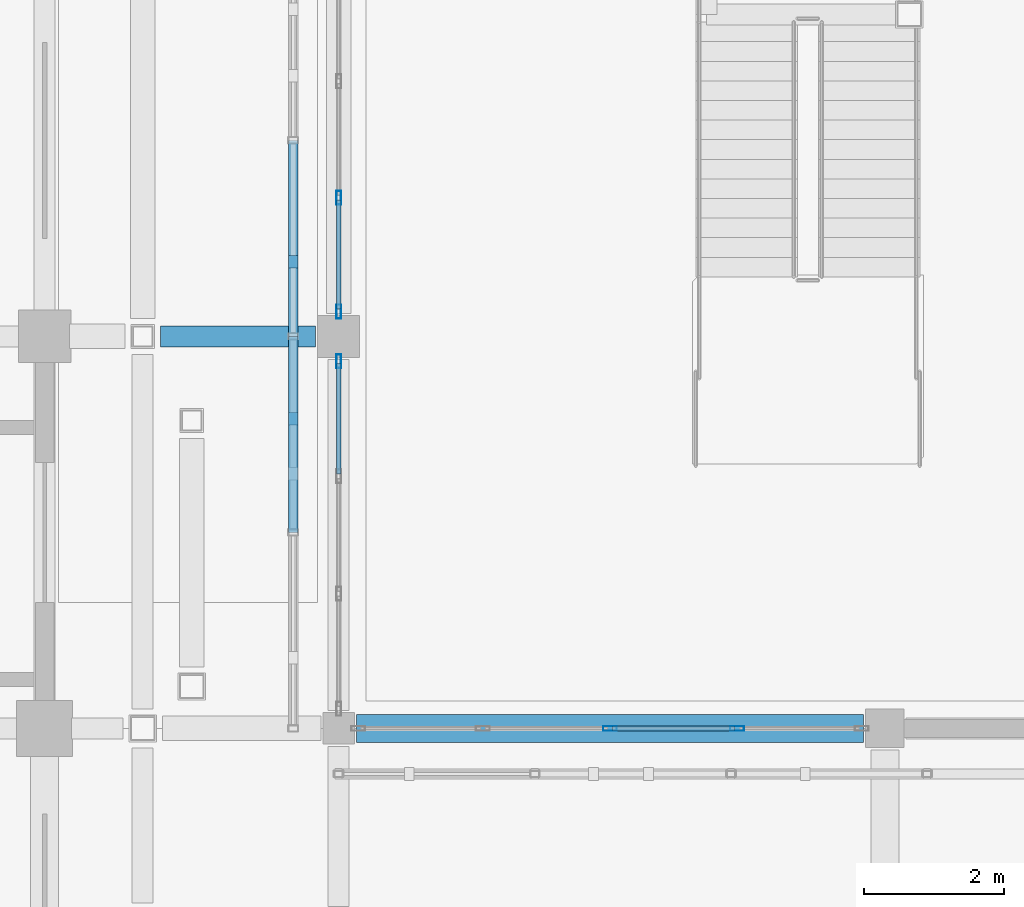
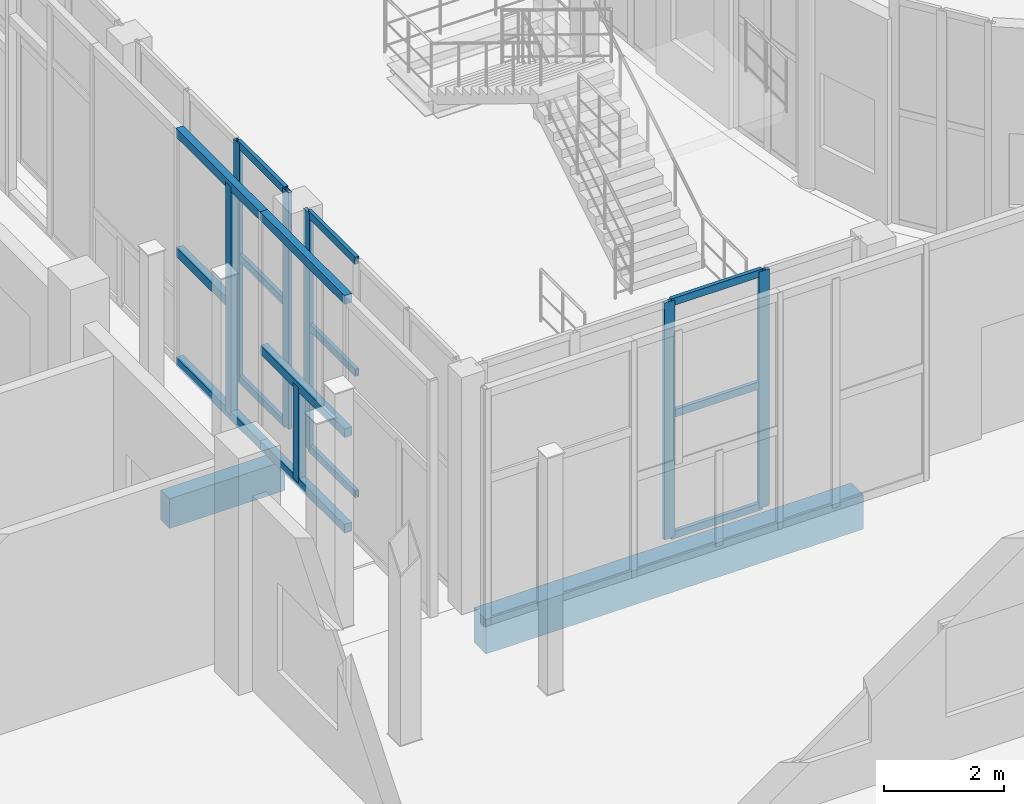
# One storey, part 26 of 91: 22 members, 2 beams, 3 elements without a shape of their own.
"""IFC4 building model written with IfcOpenShell, lengths in metres."""

from ifc_helpers import new_model, si_unit, direction, frame, origin, origin_2d, place, context, subcontext, project, spatial, rectangle, hollow_rectangle, extrude, material, layer, layer_set, material_profile, profile_set, type_object, element, aggregate, save


model = new_model("IFC4")

# Units and contexts
model_context = context("Model", 3, precision=1e-05, world=origin(), true_north=direction((0.0, 1.0)))
body_context = subcontext(model_context, "Body", "Model", "MODEL_VIEW")
ifc_project = project(units=[si_unit("LENGTHUNIT", "METRE"), si_unit("AREAUNIT", "SQUARE_METRE"), si_unit("VOLUMEUNIT", "CUBIC_METRE"), si_unit("PLANEANGLEUNIT", "RADIAN"), si_unit("MASSUNIT", "GRAM", prefix="KILO")], contexts=[model_context])

# Site, building, storey
site_placement = place(None, origin())
site = spatial("IfcSite", under=ifc_project, at=site_placement, CompositionType="ELEMENT")
building_placement = place(site_placement, origin())
building = spatial("IfcBuilding", under=site, at=building_placement, Name="Vinh Khe Railworks Police Headquarters", CompositionType="ELEMENT")
storey_placement = place(building_placement, origin())
storey = spatial("IfcBuildingStorey", under=building, at=storey_placement, Name="L00", CompositionType="ELEMENT", Elevation=0.0)

# Members
ifc_material_1 = material(Name="Salvaged ironwood timber", Category="wood")
ifc_material_profile_1 = material_profile(ifc_material_1, rectangle(XDim=0.139892578125, YDim=0.179931640625, at=origin_2d()), Name="TIMBER 140x180")
ifc_profile_set_1 = profile_set([ifc_material_profile_1], Name="Salvaged ironwood timber")
member_type_1 = type_object("IfcMemberType", Name="MEM-QUILT-STILE", PredefinedType="CHORD", material=ifc_profile_set_1)
for number, where, z_axis, x_axis, name in (
    (1, (25.75, 28.0, 4.719970703125), (0.0, 1.0, 0.0), (-1.0, 0.0, 0.0), "Salvaged Timber Quilt Transom W-L00-01-TOP"),
    (2, (25.75, 28.0, 0.080078125), (0.0, 1.0, 0.0), (-1.0, 0.0, 0.0), "Salvaged Timber Quilt Transom W-L00-01-BOT"),
    (3, (25.75, 28.0, 2.01611328125), (0.0, 1.0, 0.0), (-1.0, 0.0, 0.0), "Salvaged Timber Quilt Transom W-L00-01-M1"),
):
    element("IfcMember", number, at=place(storey_placement, frame(where, z_axis=z_axis, x_axis=x_axis)), inside=storey, type_object=member_type_1, Name=name, PredefinedType="CHORD", context=body_context, shape_type="SweptSolid", body=[
        extrude(rectangle(XDim=0.139892578125, YDim=0.179931640625, at=origin_2d()), origin(), (0.0, 0.0, 1.0), 2.800048828125),
    ])
member_1_placement = place(storey_placement, frame((25.75, 29.6240234375, 0.080078125), z_axis=(0.0, 0.0, 1.0), x_axis=(1.0, 0.0, 0.0)))
element("IfcMember", 4, at=member_1_placement, inside=storey, type_object=member_type_1, Name="Salvaged Timber Quilt Stile W-L00-01-V1", PredefinedType="POST", context=body_context, shape_type="SweptSolid", body=[
    extrude(rectangle(XDim=0.139892578125, YDim=0.179931640625, at=origin_2d()), origin(), (0.0, 0.0, 1.0), 1.93603515625),
])
for number, where, z_axis, x_axis, name in (
    (5, (25.75, 30.800048828125, 4.719970703125), (0.0, 1.0, 0.0), (-1.0, 0.0, 0.0), "Salvaged Timber Quilt Transom W-L00-02-TOP"),
    (6, (25.75, 30.800048828125, 0.080078125), (0.0, 1.0, 0.0), (-1.0, 0.0, 0.0), "Salvaged Timber Quilt Transom W-L00-02-BOT"),
):
    element("IfcMember", number, at=place(storey_placement, frame(where, z_axis=z_axis, x_axis=x_axis)), inside=storey, type_object=member_type_1, Name=name, PredefinedType="CHORD", context=body_context, shape_type="SweptSolid", body=[
        extrude(rectangle(XDim=0.139892578125, YDim=0.179931640625, at=origin_2d()), origin(), (0.0, 0.0, 1.0), 2.800048828125),
    ])
member_2_placement = place(storey_placement, frame((25.75, 31.864013671875, 0.080078125), z_axis=(0.0, 0.0, 1.0), x_axis=(1.0, 0.0, 0.0)))
element("IfcMember", 7, at=member_2_placement, inside=storey, type_object=member_type_1, Name="Salvaged Timber Quilt Stile W-L00-02-V1", PredefinedType="POST", context=body_context, shape_type="SweptSolid", body=[
    extrude(rectangle(XDim=0.139892578125, YDim=0.179931640625, at=origin_2d()), origin(), (0.0, 0.0, 1.0), 4.639892578125),
])
member_3_placement = place(storey_placement, frame((25.75, 31.864013671875, 2.303955078125), z_axis=(0.0, 1.0, 0.0), x_axis=(-1.0, 0.0, 0.0)))
element("IfcMember", 8, at=member_3_placement, inside=storey, type_object=member_type_1, Name="Salvaged Timber Quilt Transom W-L00-02-M1", PredefinedType="CHORD", context=body_context, shape_type="SweptSolid", body=[
    extrude(rectangle(XDim=0.139892578125, YDim=0.179931640625, at=origin_2d()), origin(), (0.0, 0.0, 1.0), 1.736083984375),
])

# Curtain wall, members
ifc_material_2 = material(Name="Anodised aluminium and low-iron glass", Category="aluminium")
ifc_layer = layer(ifc_material_2, 0.179931640625)
ifc_layer_set = layer_set([ifc_layer], Name="Anodised aluminium and low-iron glass")
curtain_wall_type = type_object("IfcCurtainWallType", Name="CW-CUBE-UNIT", PredefinedType="USERDEFINED", material=ifc_layer_set)
curtain_wall_1_placement = place(storey_placement, origin())
curtain_wall_1 = element("IfcCurtainWall", 9, at=curtain_wall_1_placement, inside=storey, type_object=curtain_wall_type, Name="Entrance Hall Curtain Wall L00 S-1", ObjectType="UNITISED GLAZING", PredefinedType="USERDEFINED")
ifc_material_3 = material(Name="Anodised aluminium 6063-T6", Category="aluminium")
ifc_material_profile_2 = material_profile(ifc_material_3, hollow_rectangle(XDim=0.070068359375, YDim=0.199951171875, WallThickness=0.0048828125, at=origin_2d()), Name="CW-M 70x200x5")
ifc_profile_set_2 = profile_set([ifc_material_profile_2], Name="Anodised aluminium 6063-T6")
member_type_2 = type_object("IfcMemberType", Name="MULL-CWM-03", PredefinedType="MULLION", material=ifc_profile_set_2)
member_4_placement = place(storey_placement, frame((30.27490234375, 25.199951171875, 0.0), z_axis=(0.0, 0.0, 1.0), x_axis=(0.0, 1.0, 0.0)))
member_4 = element("IfcMember", 10, at=member_4_placement, type_object=member_type_2, Name="CW-01 mullion 3", PredefinedType="MULLION", context=body_context, shape_type="SweptSolid", body=[
    extrude(hollow_rectangle(XDim=0.070068359375, YDim=0.199951171875, WallThickness=0.0048828125, at=origin_2d()), origin(), (0.0, 0.0, 1.0), 4.800048828125),
])
member_5_placement = place(storey_placement, frame((32.090087890625, 25.199951171875, 0.0), z_axis=(0.0, 0.0, 1.0), x_axis=(0.0, 1.0, 0.0)))
member_5 = element("IfcMember", 11, at=member_5_placement, type_object=member_type_2, Name="CW-01 mullion 4", PredefinedType="MULLION", context=body_context, shape_type="SweptSolid", body=[
    extrude(hollow_rectangle(XDim=0.070068359375, YDim=0.199951171875, WallThickness=0.0048828125, at=origin_2d()), origin(), (0.0, 0.0, 1.0), 4.800048828125),
])

# Curtain wall, member
curtain_wall_2_placement = place(storey_placement, origin())
curtain_wall_2 = element("IfcCurtainWall", 12, at=curtain_wall_2_placement, inside=storey, type_object=curtain_wall_type, Name="Entrance Hall Curtain Wall L00 W-1", ObjectType="UNITISED GLAZING", PredefinedType="USERDEFINED")
member_6_placement = place(storey_placement, frame((26.39990234375, 30.445068359375, 0.0), z_axis=(0.0, 0.0, 1.0), x_axis=(-1.0, 0.0, 0.0)))
member_6 = element("IfcMember", 13, at=member_6_placement, type_object=member_type_2, Name="CW-01 mullion 4", PredefinedType="MULLION", context=body_context, shape_type="SweptSolid", body=[
    extrude(hollow_rectangle(XDim=0.070068359375, YDim=0.199951171875, WallThickness=0.0048828125, at=origin_2d()), origin(), (0.0, 0.0, 1.0), 4.800048828125),
])

# Curtain wall, members
curtain_wall_3_placement = place(storey_placement, origin())
curtain_wall_3 = element("IfcCurtainWall", 14, at=curtain_wall_3_placement, inside=storey, type_object=curtain_wall_type, Name="Entrance Hall Curtain Wall L00 W-2", ObjectType="UNITISED GLAZING", PredefinedType="USERDEFINED")
member_7_placement = place(storey_placement, frame((26.39990234375, 31.155029296875, 0.0), z_axis=(0.0, 0.0, 1.0), x_axis=(-1.0, 0.0, 0.0)))
member_7 = element("IfcMember", 15, at=member_7_placement, type_object=member_type_2, Name="CW-01 mullion 1", PredefinedType="MULLION", context=body_context, shape_type="SweptSolid", body=[
    extrude(hollow_rectangle(XDim=0.070068359375, YDim=0.199951171875, WallThickness=0.0048828125, at=origin_2d()), origin(), (0.0, 0.0, 1.0), 4.800048828125),
])
member_8_placement = place(storey_placement, frame((26.39990234375, 32.78173828125, 0.0), z_axis=(0.0, 0.0, 1.0), x_axis=(-1.0, 0.0, 0.0)))
member_8 = element("IfcMember", 16, at=member_8_placement, type_object=member_type_2, Name="CW-01 mullion 2", PredefinedType="MULLION", context=body_context, shape_type="SweptSolid", body=[
    extrude(hollow_rectangle(XDim=0.070068359375, YDim=0.199951171875, WallThickness=0.0048828125, at=origin_2d()), origin(), (0.0, 0.0, 1.0), 4.800048828125),
])

# Beams
ifc_material_4 = material(Name="Concrete C35/45 (B35)", Category="concrete")
ifc_material_profile_3 = material_profile(ifc_material_4, rectangle(XDim=0.300048828125, YDim=0.60009765625, at=origin_2d()), Name="RC 300x600")
ifc_profile_set_3 = profile_set([ifc_material_profile_3], Name="Concrete C35/45 (B35)")
beam_type_1 = type_object("IfcBeamType", Name="RC Girder RC 300x600", PredefinedType="BEAM", material=ifc_profile_set_3)
beam_1_placement = place(storey_placement, frame((23.85498046875, 30.800048828125, -0.580078125), z_axis=(1.0, 0.0, 0.0), x_axis=(0.0, 1.0, 0.0)))
element("IfcBeam", 17, at=beam_1_placement, inside=storey, type_object=beam_type_1, Name="Girder BM-L00-EW-RB-09-0047", PredefinedType="BEAM", context=body_context, shape_type="SweptSolid", body=[
    extrude(rectangle(XDim=0.300048828125, YDim=0.60009765625, at=origin_2d()), origin(), (0.0, 0.0, 1.0), 2.215087890625),
])
ifc_material_profile_4 = material_profile(ifc_material_4, rectangle(XDim=0.39990234375, YDim=0.699951171875, at=origin_2d()), Name="RC 400x700")
ifc_profile_set_4 = profile_set([ifc_material_profile_4], Name="Concrete C35/45 (B35)")
beam_type_2 = type_object("IfcBeamType", Name="RC Girder RC 400x700", PredefinedType="BEAM", material=ifc_profile_set_4)
beam_2_placement = place(storey_placement, frame((26.655029296875, 25.199951171875, -0.6298828125), z_axis=(1.0, 0.0, 0.0), x_axis=(0.0, 1.0, 0.0)))
element("IfcBeam", 18, at=beam_2_placement, inside=storey, type_object=beam_type_2, Name="Girder BM-L00-EW-RB-07-0038", PredefinedType="BEAM", context=body_context, shape_type="SweptSolid", body=[
    extrude(rectangle(XDim=0.39990234375, YDim=0.699951171875, at=origin_2d()), origin(), (0.0, 0.0, 1.0), 7.239990234375),
])

# Member
ifc_material_profile_5 = material_profile(ifc_material_3, hollow_rectangle(XDim=0.070068359375, YDim=0.14990234375, WallThickness=0.0048828125, at=origin_2d()), Name="CW-T 70x150x5")
ifc_profile_set_5 = profile_set([ifc_material_profile_5], Name="Anodised aluminium 6063-T6")
member_type_3 = type_object("IfcMemberType", Name="TRAN-CWT-03", PredefinedType="USERDEFINED", material=ifc_profile_set_5)
member_9_placement = place(storey_placement, frame((30.31005859375, 25.199951171875, 0.034912109375), z_axis=(1.0, 0.0, 0.0), x_axis=(0.0, 1.0, 0.0)))
member_9 = element("IfcMember", 19, at=member_9_placement, type_object=member_type_3, Name="CW-01 transom 3.1", ObjectType="TRANSOM", PredefinedType="USERDEFINED", context=body_context, shape_type="SweptSolid", body=[
    extrude(hollow_rectangle(XDim=0.070068359375, YDim=0.14990234375, WallThickness=0.0048828125, at=origin_2d()), origin(), (0.0, 0.0, 1.0), 1.744873046875),
])

member_10_placement = place(storey_placement, frame((30.31005859375, 25.199951171875, 2.49609375), z_axis=(1.0, 0.0, 0.0), x_axis=(0.0, 1.0, 0.0)))
member_10 = element("IfcMember", 20, at=member_10_placement, type_object=member_type_3, Name="CW-01 transom 3.2", ObjectType="TRANSOM", PredefinedType="USERDEFINED", context=body_context, shape_type="SweptSolid", body=[
    extrude(hollow_rectangle(XDim=0.070068359375, YDim=0.14990234375, WallThickness=0.0048828125, at=origin_2d()), origin(), (0.0, 0.0, 1.0), 1.744873046875),
])

member_11_placement = place(storey_placement, frame((30.31005859375, 25.199951171875, 4.764892578125), z_axis=(1.0, 0.0, 0.0), x_axis=(0.0, 1.0, 0.0)))
member_11 = element("IfcMember", 21, at=member_11_placement, type_object=member_type_3, Name="CW-01 transom 3.3", ObjectType="TRANSOM", PredefinedType="USERDEFINED", context=body_context, shape_type="SweptSolid", body=[
    extrude(hollow_rectangle(XDim=0.070068359375, YDim=0.14990234375, WallThickness=0.0048828125, at=origin_2d()), origin(), (0.0, 0.0, 1.0), 1.744873046875),
])

aggregate(curtain_wall_1, [member_4, member_5, member_9, member_10, member_11])

member_12_placement = place(storey_placement, frame((26.39990234375, 28.836669921875, 0.034912109375), z_axis=(0.0, 1.0, 0.0), x_axis=(-1.0, 0.0, 0.0)))
member_12 = element("IfcMember", 22, at=member_12_placement, type_object=member_type_3, Name="CW-01 transom 3.1", ObjectType="TRANSOM", PredefinedType="USERDEFINED", context=body_context, shape_type="SweptSolid", body=[
    extrude(hollow_rectangle(XDim=0.070068359375, YDim=0.14990234375, WallThickness=0.0048828125, at=origin_2d()), origin(), (0.0, 0.0, 1.0), 1.5732421875),
])

member_13_placement = place(storey_placement, frame((26.39990234375, 28.836669921875, 2.49609375), z_axis=(0.0, 1.0, 0.0), x_axis=(-1.0, 0.0, 0.0)))
member_13 = element("IfcMember", 23, at=member_13_placement, type_object=member_type_3, Name="CW-01 transom 3.2", ObjectType="TRANSOM", PredefinedType="USERDEFINED", context=body_context, shape_type="SweptSolid", body=[
    extrude(hollow_rectangle(XDim=0.070068359375, YDim=0.14990234375, WallThickness=0.0048828125, at=origin_2d()), origin(), (0.0, 0.0, 1.0), 1.5732421875),
])

member_14_placement = place(storey_placement, frame((26.39990234375, 28.836669921875, 4.764892578125), z_axis=(0.0, 1.0, 0.0), x_axis=(-1.0, 0.0, 0.0)))
member_14 = element("IfcMember", 24, at=member_14_placement, type_object=member_type_3, Name="CW-01 transom 3.3", ObjectType="TRANSOM", PredefinedType="USERDEFINED", context=body_context, shape_type="SweptSolid", body=[
    extrude(hollow_rectangle(XDim=0.070068359375, YDim=0.14990234375, WallThickness=0.0048828125, at=origin_2d()), origin(), (0.0, 0.0, 1.0), 1.5732421875),
])

aggregate(curtain_wall_2, [member_6, member_12, member_13, member_14])

member_15_placement = place(storey_placement, frame((26.39990234375, 31.18994140625, 0.034912109375), z_axis=(0.0, 1.0, 0.0), x_axis=(-1.0, 0.0, 0.0)))
member_15 = element("IfcMember", 25, at=member_15_placement, type_object=member_type_3, Name="CW-01 transom 1.1", ObjectType="TRANSOM", PredefinedType="USERDEFINED", context=body_context, shape_type="SweptSolid", body=[
    extrude(hollow_rectangle(XDim=0.070068359375, YDim=0.14990234375, WallThickness=0.0048828125, at=origin_2d()), origin(), (0.0, 0.0, 1.0), 1.556640625),
])

member_16_placement = place(storey_placement, frame((26.39990234375, 31.18994140625, 2.49609375), z_axis=(0.0, 1.0, 0.0), x_axis=(-1.0, 0.0, 0.0)))
member_16 = element("IfcMember", 26, at=member_16_placement, type_object=member_type_3, Name="CW-01 transom 1.2", ObjectType="TRANSOM", PredefinedType="USERDEFINED", context=body_context, shape_type="SweptSolid", body=[
    extrude(hollow_rectangle(XDim=0.070068359375, YDim=0.14990234375, WallThickness=0.0048828125, at=origin_2d()), origin(), (0.0, 0.0, 1.0), 1.556640625),
])

member_17_placement = place(storey_placement, frame((26.39990234375, 31.18994140625, 4.764892578125), z_axis=(0.0, 1.0, 0.0), x_axis=(-1.0, 0.0, 0.0)))
member_17 = element("IfcMember", 27, at=member_17_placement, type_object=member_type_3, Name="CW-01 transom 1.3", ObjectType="TRANSOM", PredefinedType="USERDEFINED", context=body_context, shape_type="SweptSolid", body=[
    extrude(hollow_rectangle(XDim=0.070068359375, YDim=0.14990234375, WallThickness=0.0048828125, at=origin_2d()), origin(), (0.0, 0.0, 1.0), 1.556640625),
])

aggregate(curtain_wall_3, [member_7, member_8, member_15, member_16, member_17])

save(model, "model.ifc")
